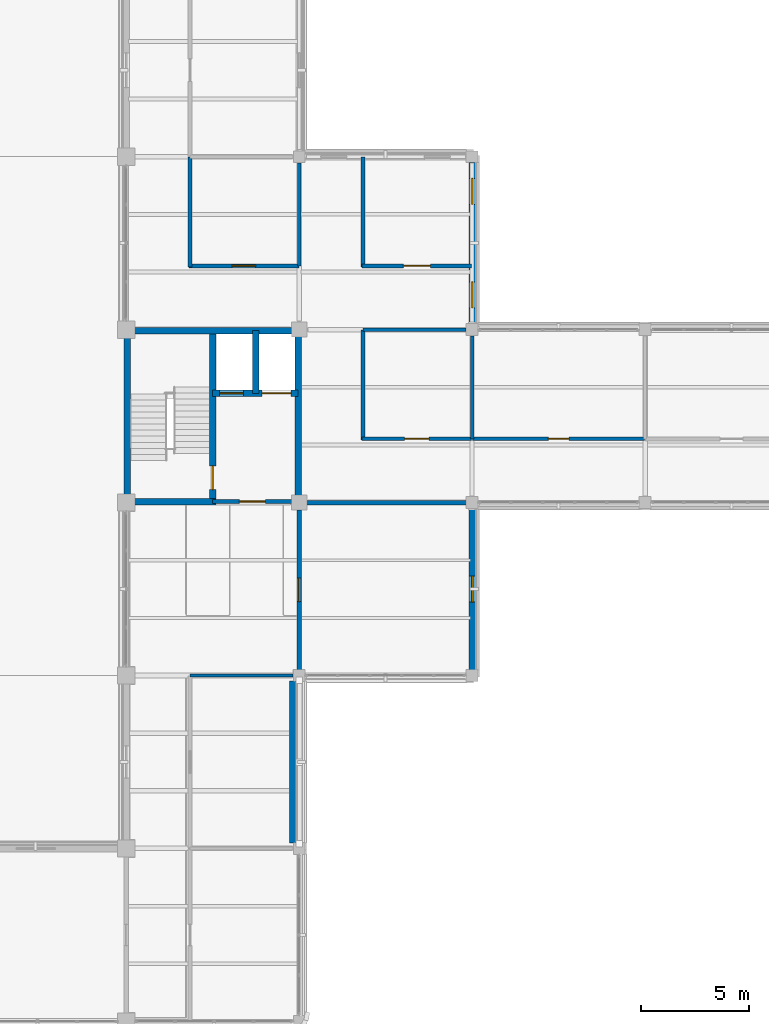
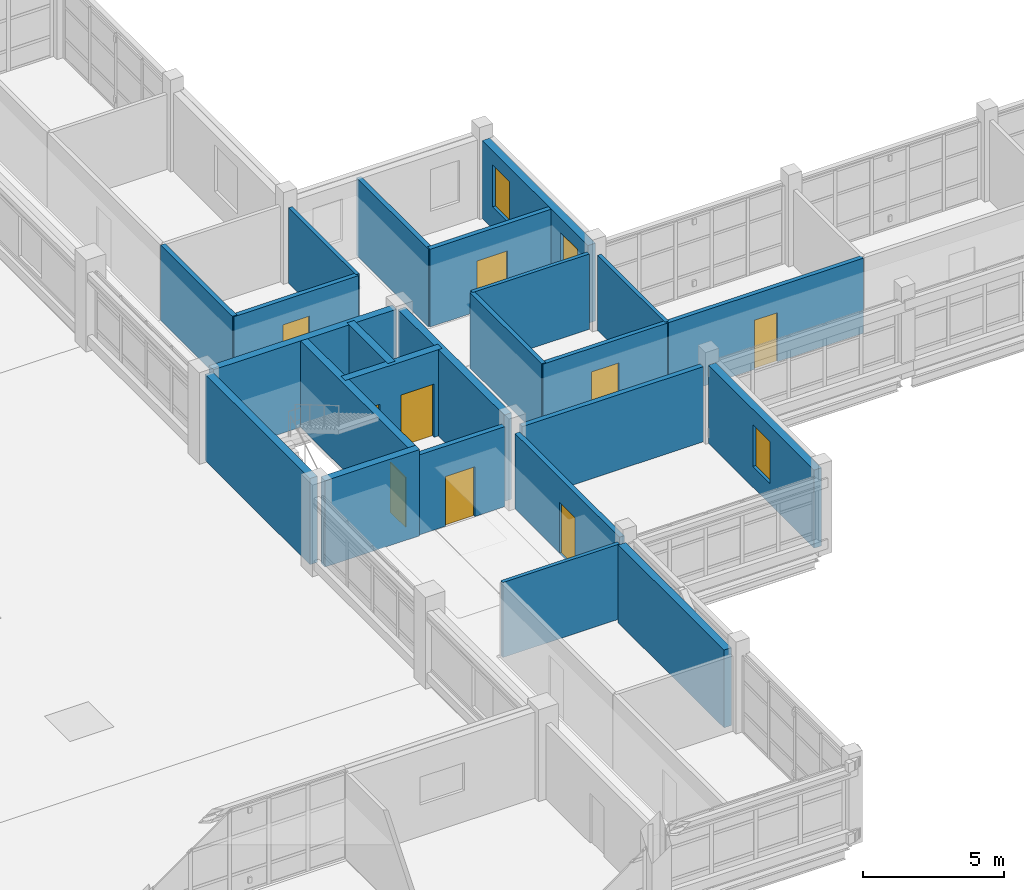
# One storey, part 77 of 107: 24 walls, 9 doors, 3 windows, 12 openings.
"""IFC4 building model written with IfcOpenShell, lengths in metres."""

import ifcopenshell
import ifcopenshell.guid

model = None  # the IFC model being written
_history = None  # IfcOwnerHistory: only IFC2X3 demands one
_inside = {}  # id of a spatial element -> (the spatial element, [elements in it])
_under = {}  # id of a project, library or spatial element -> (it, [spatial elements below it])
_declared = {}  # id of a project -> (the project, [libraries it declares])
_typed = {}  # id of a type object -> (the type object, [elements of that type])
_made_of = {}  # id of a material, layer set ... -> (it, [elements and type objects made of it])


def new_model(schema):
    """Start an empty IFC model of exactly this schema.

    Asked for "IFC4X3", IfcOpenShell would pick the latest addendum, in which some entities
    have other attributes; the version numbers below select the first issue.
    IFC2X3 requires an IfcOwnerHistory on every rooted entity: one is made here for all.
    """
    global model, _history
    if schema == "IFC4X3":
        model = ifcopenshell.file(schema_version=(4, 3, 0, 0))
    else:
        model = ifcopenshell.file(schema=schema)
    _inside.clear()
    _under.clear()
    _declared.clear()
    _typed.clear()
    _made_of.clear()
    _history = None
    if model.schema == "IFC2X3":
        org = make("IfcOrganization", Name="unknown")
        user = make(
            "IfcPersonAndOrganization",
            ThePerson=make("IfcPerson", FamilyName="unknown"),
            TheOrganization=org,
        )
        app = make(
            "IfcApplication",
            ApplicationDeveloper=org,
            Version="unknown",
            ApplicationFullName="unknown",
            ApplicationIdentifier="unknown",
        )
        _history = make(
            "IfcOwnerHistory",
            OwningUser=user,
            OwningApplication=app,
            ChangeAction="ADDED",
            CreationDate=0,
        )
    return model


def make(cls, **values):
    """One entity of the class cls with the attributes given. An attribute that is None is left unset."""
    return model.create_entity(
        cls, **{name: value for name, value in values.items() if value is not None}
    )


def rooted(cls, **values):
    """An entity with a GlobalId (a new one), such as an element, a storey or a relation."""
    return make(cls, GlobalId=ifcopenshell.guid.new(), OwnerHistory=_history, **values)


def si_unit(unit_type, name, prefix=None):
    """IfcSIUnit, for example si_unit("LENGTHUNIT", "METRE", prefix="MILLI")."""
    return make("IfcSIUnit", UnitType=unit_type, Prefix=prefix, Name=name)


def derived_unit(unit_type, elements):
    """IfcDerivedUnit: a product of units, each with its exponent."""
    return make(
        "IfcDerivedUnit",
        Elements=[
            make("IfcDerivedUnitElement", Unit=unit, Exponent=power)
            for unit, power in elements
        ],
        UnitType=unit_type,
    )


def assignment(units):
    """IfcUnitAssignment: the units of a project."""
    return None if units is None else make("IfcUnitAssignment", Units=units)


def point(xyz):
    """IfcCartesianPoint."""
    return None if xyz is None else make("IfcCartesianPoint", Coordinates=xyz)


def direction(xyz):
    """IfcDirection."""
    return None if xyz is None else make("IfcDirection", DirectionRatios=xyz)


def frame(location, z_axis=None, x_axis=None):
    """IfcAxis2Placement3D, a coordinate frame: its origin and axes. An axis left out is left unset."""
    return make(
        "IfcAxis2Placement3D",
        Location=point(location),
        Axis=direction(z_axis),
        RefDirection=direction(x_axis),
    )


def frame_2d(location, x_axis=None):
    """IfcAxis2Placement2D, a coordinate frame in the plane: its origin and x axis."""
    return make(
        "IfcAxis2Placement2D", Location=point(location), RefDirection=direction(x_axis)
    )


def origin():
    """The frame at (0, 0, 0) with its axes left unset."""
    return frame((0.0, 0.0, 0.0))


def place(relative_to, where):
    """IfcLocalPlacement: puts the frame where relative to a parent placement (None: the world)."""
    return make(
        "IfcLocalPlacement", PlacementRelTo=relative_to, RelativePlacement=where
    )


def context(
    kind, dimensions, precision=None, world=None, true_north=None, identifier=None
):
    """IfcGeometricRepresentationContext, for example the 3D "Model" context."""
    return make(
        "IfcGeometricRepresentationContext",
        ContextIdentifier=identifier,
        ContextType=kind,
        CoordinateSpaceDimension=dimensions,
        Precision=precision,
        WorldCoordinateSystem=world,
        TrueNorth=true_north,
    )


def subcontext(parent, identifier, kind, view, scale=None):
    """IfcGeometricRepresentationSubContext, for example "Body" below "Model"."""
    return make(
        "IfcGeometricRepresentationSubContext",
        ContextIdentifier=identifier,
        ContextType=kind,
        ParentContext=parent,
        TargetScale=scale,
        TargetView=view,
    )


def project(units=None, contexts=None):
    """IfcProject with its units and contexts."""
    return rooted(
        "IfcProject",
        Name="project",
        RepresentationContexts=contexts,
        UnitsInContext=assignment(units),
    )


def spatial(cls, under=None, at=None, **own):
    """A site, building, storey or space (cls), placed at a placement, below another one or the project."""
    s = rooted(cls, ObjectPlacement=at, **own)
    if under is not None:
        _under.setdefault(under.id(), (under, []))[1].append(s)
    return s


def profile(cls, at=None, kind="AREA", **sizes):
    """A parametric profile (cls). Its sizes go by their IFC names, for example OverallWidth=200.0."""
    return make(cls, ProfileType=kind, Position=at, **sizes)


def rectangle(**sizes):
    """IfcRectangleProfileDef."""
    return profile("IfcRectangleProfileDef", **sizes)


def extrude(swept, where, along, depth):
    """IfcExtrudedAreaSolid: the profile swept, set in the frame where, extruded along a direction by depth."""
    return make(
        "IfcExtrudedAreaSolid",
        SweptArea=swept,
        Position=where,
        ExtrudedDirection=direction(along),
        Depth=depth,
    )


def shape(context_of_items, identifier, shape_type, items):
    """IfcShapeRepresentation: the items that make up one representation, for example the "Body"."""
    return make(
        "IfcShapeRepresentation",
        ContextOfItems=context_of_items,
        RepresentationIdentifier=identifier,
        RepresentationType=shape_type,
        Items=items,
    )


def material(Name=None, Category=None):
    """IfcMaterial."""
    return make("IfcMaterial", Name=Name, Category=Category)


def layer(
    of_material, thickness, ventilated=None, Name=None, Category=None, Priority=None
):
    """IfcMaterialLayer: one layer of a wall or slab, of a material (None: an air gap)."""
    return make(
        "IfcMaterialLayer",
        Material=of_material,
        LayerThickness=thickness,
        IsVentilated=ventilated,
        Name=Name,
        Category=Category,
        Priority=Priority,
    )


def layer_set(layers, Name=None):
    """IfcMaterialLayerSet."""
    return make("IfcMaterialLayerSet", MaterialLayers=layers, LayerSetName=Name)


def made_of(thing, what):
    """Note that an element or type object is made of a material, layer set ...; save() writes the relation."""
    if what is not None:
        _made_of.setdefault(what.id(), (what, []))[1].append(thing)
    return thing


def type_object(cls, material=None, **own):
    """A type object (cls), such as IfcWallType, which elements share."""
    return made_of(rooted(cls, **own), material)


def element(
    cls,
    number,
    at=None,
    inside=None,
    cuts=None,
    type_object=None,
    material=None,
    context=None,
    identifier="Body",
    shape_type=None,
    held_by="IfcProductDefinitionShape",
    body=None,
    shapes=None,
    **own,
):
    """One element of the class cls, such as IfcWall. Its Tag is "e" and its number.

    at: its placement. inside: the storey or other place that contains it. cuts: it is an
    opening in that element (IfcRelVoidsElement). A single representation is given by context,
    identifier, shape_type and body (its items); several are given by shapes. held_by: the class
    of the entity that holds the representations. save() writes the other relations.
    """
    e = rooted(cls, Tag="e%d" % number, ObjectPlacement=at, **own)
    if body is not None:
        shapes = [shape(context, identifier, shape_type, body)]
    if shapes is not None:
        e.Representation = make(held_by, Representations=shapes)
    if inside is not None:
        _inside.setdefault(inside.id(), (inside, []))[1].append(e)
    if cuts is not None:
        rooted(
            "IfcRelVoidsElement", RelatingBuildingElement=cuts, RelatedOpeningElement=e
        )
    if type_object is not None:
        _typed.setdefault(type_object.id(), (type_object, []))[1].append(e)
    return made_of(e, material)


def fill(opening, filler):
    """IfcRelFillsElement: the door or window that sits in an opening."""
    return rooted(
        "IfcRelFillsElement",
        RelatingOpeningElement=opening,
        RelatedBuildingElement=filler,
    )


def aggregate(whole, parts):
    """IfcRelAggregates: a whole, such as a stair, and the parts it consists of."""
    return rooted("IfcRelAggregates", RelatingObject=whole, RelatedObjects=parts)


def save(model, path):
    """Write the relations noted so far, then the file.

    IfcRelAggregates (storeys below a building ...), IfcRelContainedInSpatialStructure (elements
    in a storey), IfcRelDefinesByType, IfcRelAssociatesMaterial and IfcRelDeclares: one each for
    every whole, place, type object, material and project.
    """
    for whole, parts in _under.values():
        aggregate(whole, parts)
    for where, things in _inside.values():
        rooted(
            "IfcRelContainedInSpatialStructure",
            RelatedElements=things,
            RelatingStructure=where,
        )
    for kind, things in _typed.values():
        rooted("IfcRelDefinesByType", RelatedObjects=things, RelatingType=kind)
    for what, things in _made_of.values():
        rooted("IfcRelAssociatesMaterial", RelatedObjects=things, RelatingMaterial=what)
    for by, libraries in _declared.values():
        rooted("IfcRelDeclares", RelatingContext=by, RelatedDefinitions=libraries)
    model.write(path)


model = new_model("IFC4")

# Units and contexts
model_context = context("Model", 3, precision=1e-05, world=origin(), true_north=direction((0.0, 1.0)))
body_context = subcontext(model_context, "Body", "Model", "MODEL_VIEW")
ifc_project = project(units=[si_unit("LENGTHUNIT", "METRE"), si_unit("AREAUNIT", "SQUARE_METRE"), si_unit("VOLUMEUNIT", "CUBIC_METRE"), si_unit("PLANEANGLEUNIT", "RADIAN"), si_unit("MASSUNIT", "GRAM", prefix="KILO"), derived_unit("THERMALTRANSMITTANCEUNIT", [(si_unit("MASSUNIT", "GRAM", prefix="KILO"), 1), (si_unit("TIMEUNIT", "SECOND"), -3), (si_unit("THERMODYNAMICTEMPERATUREUNIT", "KELVIN"), -1)])], contexts=[model_context])

# Site, building, storey
site_placement = place(None, origin())
site = spatial("IfcSite", under=ifc_project, at=site_placement, CompositionType="ELEMENT")
building_placement = place(site_placement, origin())
building = spatial("IfcBuilding", under=site, at=building_placement, Name="Veyamyaing Civic Hall", CompositionType="ELEMENT")
storey_placement = place(building_placement, frame((0.0, 0.0, 13.860107421875)))
storey = spatial("IfcBuildingStorey", under=building, at=storey_placement, Name="L03", CompositionType="ELEMENT", Elevation=13.860107421875)

# Wall
ifc_material_1 = material(Name="Precast concrete C40/50", Category="concrete")
ifc_layer_1 = layer(ifc_material_1, 0.304931640625, Name="Precast concrete C40/50")
ifc_layer_set_1 = layer_set([ifc_layer_1], Name="Precast concrete C40/50")
wall_type_1 = type_object("IfcWallType", Name="WT-03", PredefinedType="SOLIDWALL", material=ifc_layer_set_1)
wall_1_placement = place(storey_placement, frame((111.699951171875, 32.260009765625, 0.0), z_axis=(0.0, 0.0, 1.0), x_axis=(0.0, 1.0, 0.0)))
element("IfcWall", 1, at=wall_1_placement, inside=storey, type_object=wall_type_1, Name="Exterior facade wall WT-03 L03 E 14.5", PredefinedType="SOLIDWALL", context=body_context, shape_type="SweptSolid", body=[
    extrude(rectangle(XDim=7.47998046875, YDim=0.304931640625, at=frame_2d((3.739990234375, 0.0))), origin(), (0.0, 0.0, 1.0), 3.364013671875),
])

# Wall, opening, window
wall_2_placement = place(storey_placement, frame((120.0, 40.260009765625, 0.0), z_axis=(0.0, 0.0, 1.0), x_axis=(0.0, 1.0, 0.0)))
wall_2 = element("IfcWall", 2, at=wall_2_placement, inside=storey, type_object=wall_type_1, Name="Exterior facade wall WT-03 L03 E 15.6", PredefinedType="SOLIDWALL", context=body_context, shape_type="SweptSolid", body=[
    extrude(rectangle(XDim=7.47998046875, YDim=0.304931640625, at=frame_2d((3.739990234375, 0.0))), origin(), (0.0, 0.0, 1.0), 3.366943359375),
])
opening_1_placement = place(wall_2_placement, frame((3.139892578125, 0.0, 0.89990234375)))
opening_1 = element("IfcOpeningElement", 3, at=opening_1_placement, cuts=wall_2, Name="Opening W-14", PredefinedType="OPENING", context=body_context, shape_type="SweptSolid", body=[
    extrude(rectangle(XDim=1.199951171875, YDim=1.800048828125, at=frame_2d((0.60009765625, 0.89990234375))), frame((0.0, 0.162353515625, 0.0), z_axis=(0.0, -1.0, 0.0), x_axis=(1.0, 0.0, 0.0)), (0.0, 0.0, 1.0), 0.324951171875),
])
ifc_material_2 = material(Name="Low-E insulated glass", Category="glass")
window_type = type_object("IfcWindowType", Name="W-14", PartitioningType="SINGLE_PANEL", PredefinedType="WINDOW", material=ifc_material_2)
window_1_placement = place(opening_1_placement, origin())
window_1 = element("IfcWindow", 4, at=window_1_placement, inside=storey, type_object=window_type, Name="Facade window W-14 L03 E 15.6", OverallHeight=1.800048828125, OverallWidth=1.199951171875, PartitioningType="SINGLE_PANEL", PredefinedType="WINDOW", context=body_context, shape_type="SweptSolid", body=[
    extrude(rectangle(XDim=1.199951171875, YDim=1.800048828125, at=frame_2d((0.60009765625, 0.89990234375))), frame((0.0, 0.030029296875, 0.0), z_axis=(0.0, -1.0, 0.0), x_axis=(1.0, 0.0, 0.0)), (0.0, 0.0, 1.0), 0.06005859375),
])
fill(opening_1, window_1)

# Wall, openings, windows
wall_3_placement = place(storey_placement, frame((120.0, 56.260009765625, 0.0), z_axis=(0.0, 0.0, 1.0), x_axis=(0.0, 1.0, 0.0)))
wall_3 = element("IfcWall", 5, at=wall_3_placement, inside=storey, type_object=wall_type_1, Name="Exterior facade wall WT-03 L03 E 15.8", PredefinedType="SOLIDWALL", context=body_context, shape_type="SweptSolid", body=[
    extrude(rectangle(XDim=7.47998046875, YDim=0.304931640625, at=frame_2d((3.739990234375, 0.0))), origin(), (0.0, 0.0, 1.0), 3.364013671875),
])
opening_2_placement = place(wall_3_placement, frame((0.746337890625, 0.0, 0.949951171875)))
opening_2 = element("IfcOpeningElement", 6, at=opening_2_placement, cuts=wall_3, Name="Opening W-14", PredefinedType="OPENING", context=body_context, shape_type="SweptSolid", body=[
    extrude(rectangle(XDim=1.199951171875, YDim=1.800048828125, at=frame_2d((0.60009765625, 0.89990234375))), frame((0.0, 0.162353515625, 0.0), z_axis=(0.0, -1.0, 0.0), x_axis=(1.0, 0.0, 0.0)), (0.0, 0.0, 1.0), 0.324951171875),
])
opening_3_placement = place(wall_3_placement, frame((5.53369140625, 0.0, 0.949951171875)))
opening_3 = element("IfcOpeningElement", 7, at=opening_3_placement, cuts=wall_3, Name="Opening W-14", PredefinedType="OPENING", context=body_context, shape_type="SweptSolid", body=[
    extrude(rectangle(XDim=1.199951171875, YDim=1.800048828125, at=frame_2d((0.60009765625, 0.89990234375))), frame((0.0, 0.162353515625, 0.0), z_axis=(0.0, -1.0, 0.0), x_axis=(1.0, 0.0, 0.0)), (0.0, 0.0, 1.0), 0.324951171875),
])
window_2_placement = place(opening_2_placement, origin())
window_2 = element("IfcWindow", 8, at=window_2_placement, inside=storey, type_object=window_type, Name="Facade window W-14 L03 E 15.8.1", OverallHeight=1.800048828125, OverallWidth=1.199951171875, PartitioningType="SINGLE_PANEL", PredefinedType="WINDOW", context=body_context, shape_type="SweptSolid", body=[
    extrude(rectangle(XDim=1.199951171875, YDim=1.800048828125, at=frame_2d((0.60009765625, 0.89990234375))), frame((0.0, 0.030029296875, 0.0), z_axis=(0.0, -1.0, 0.0), x_axis=(1.0, 0.0, 0.0)), (0.0, 0.0, 1.0), 0.06005859375),
])
fill(opening_2, window_2)
window_3_placement = place(opening_3_placement, origin())
window_3 = element("IfcWindow", 9, at=window_3_placement, inside=storey, type_object=window_type, Name="Facade window W-14 L03 E 15.8.2", OverallHeight=1.800048828125, OverallWidth=1.199951171875, PartitioningType="SINGLE_PANEL", PredefinedType="WINDOW", context=body_context, shape_type="SweptSolid", body=[
    extrude(rectangle(XDim=1.199951171875, YDim=1.800048828125, at=frame_2d((0.60009765625, 0.89990234375))), frame((0.0, 0.030029296875, 0.0), z_axis=(0.0, -1.0, 0.0), x_axis=(1.0, 0.0, 0.0)), (0.0, 0.0, 1.0), 0.06005859375),
])
fill(opening_3, window_3)

# Walls
ifc_material_3 = material(Name="Concrete C40/50", Category="concrete")
ifc_layer_2 = layer(ifc_material_3, 0.300048828125, Name="Concrete C40/50")
ifc_layer_set_2 = layer_set([ifc_layer_2], Name="Concrete C40/50")
wall_type_2 = type_object("IfcWallType", Name="WT-05", PredefinedType="SHEAR", material=ifc_layer_set_2)
wall_4_placement = place(storey_placement, frame((104.050048828125, 48.2900390625, 0.0), z_axis=(0.0, 0.0, 1.0), x_axis=(0.0, 1.0, 0.0)))
element("IfcWall", 10, at=wall_4_placement, inside=storey, type_object=wall_type_2, Name="Core shear wall WT-05 CORE-6 L03.W", PredefinedType="SHEAR", context=body_context, shape_type="SweptSolid", body=[
    extrude(rectangle(XDim=7.419921875, YDim=0.300048828125, at=frame_2d((3.7099609375, 0.0))), origin(), (0.0, 0.0, 1.0), 3.724853515625),
])
wall_5_placement = place(storey_placement, frame((104.2900390625, 55.949951171875, 0.0), z_axis=(0.0, 0.0, 1.0), x_axis=(1.0, 0.0, 0.0)))
element("IfcWall", 11, at=wall_5_placement, inside=storey, type_object=wall_type_2, Name="Core shear wall WT-05 CORE-6 L03.N", PredefinedType="SHEAR", context=body_context, shape_type="SweptSolid", body=[
    extrude(rectangle(XDim=7.469970703125, YDim=0.300048828125, at=frame_2d((3.73486328125, 0.0))), origin(), (0.0, 0.0, 1.0), 3.724853515625),
])
wall_6_placement = place(storey_placement, frame((111.949951171875, 48.239990234375, 0.0), z_axis=(0.0, 0.0, 1.0), x_axis=(0.0, 1.0, 0.0)))
element("IfcWall", 12, at=wall_6_placement, inside=storey, type_object=wall_type_2, Name="Core shear wall WT-05 CORE-6 L03.E", PredefinedType="SHEAR", context=body_context, shape_type="SweptSolid", body=[
    extrude(rectangle(XDim=7.52001953125, YDim=0.300048828125, at=frame_2d((3.760009765625, 0.0))), origin(), (0.0, 0.0, 1.0), 3.724853515625),
])
wall_7_placement = place(storey_placement, frame((104.2900390625, 48.050048828125, 0.0), z_axis=(0.0, 0.0, 1.0), x_axis=(1.0, 0.0, 0.0)))
element("IfcWall", 13, at=wall_7_placement, inside=storey, type_object=wall_type_2, Name="Core shear wall WT-05 CORE-6 L03.SS", PredefinedType="SHEAR", context=body_context, shape_type="SweptSolid", body=[
    extrude(rectangle(XDim=3.85986328125, YDim=0.300048828125, at=frame_2d((1.929931640625, 0.0))), origin(), (0.0, 0.0, 1.0), 3.724853515625),
])

# Wall, opening, door
wall_8_placement = place(storey_placement, frame((108.0, 48.050048828125, 0.0), z_axis=(0.0, 0.0, 1.0), x_axis=(0.0, 1.0, 0.0)))
wall_8 = element("IfcWall", 14, at=wall_8_placement, inside=storey, type_object=wall_type_2, Name="Core shear wall WT-05 CORE-6 L03.MID", PredefinedType="SHEAR", context=body_context, shape_type="SweptSolid", body=[
    extrude(rectangle(XDim=7.89990234375, YDim=0.300048828125, at=frame_2d((3.949951171875, 0.0))), origin(), (0.0, 0.0, 1.0), 3.724853515625),
])
opening_4_placement = place(wall_8_placement, frame((0.550048828125, 0.0, 0.0)))
opening_4 = element("IfcOpeningElement", 15, at=opening_4_placement, cuts=wall_8, Name="Opening D-03", PredefinedType="OPENING", context=body_context, shape_type="SweptSolid", body=[
    extrude(rectangle(XDim=1.10009765625, YDim=2.14990234375, at=frame_2d((0.550048828125, 1.074951171875))), frame((0.0, 0.159912109375, 0.0), z_axis=(0.0, -1.0, 0.0), x_axis=(1.0, 0.0, 0.0)), (0.0, 0.0, 1.0), 0.320068359375),
])
ifc_material_4 = material(Name="Galvanized steel S355J2", Category="steel")
door_type_1 = type_object("IfcDoorType", Name="D-03", OperationType="NOTDEFINED", PredefinedType="DOOR", material=ifc_material_4)
door_1_placement = place(opening_4_placement, origin())
door_1 = element("IfcDoor", 16, at=door_1_placement, inside=storey, type_object=door_type_1, Name="Exit stair fire door D-03 ST-06 L03", OperationType="SINGLE_SWING_LEFT", OverallHeight=2.14990234375, OverallWidth=1.10009765625, PredefinedType="DOOR", context=body_context, shape_type="SweptSolid", body=[
    extrude(rectangle(XDim=1.10009765625, YDim=2.14990234375, at=frame_2d((0.550048828125, 1.074951171875))), frame((0.0, 0.02490234375, 0.0), z_axis=(0.0, -1.0, 0.0), x_axis=(1.0, 0.0, 0.0)), (0.0, 0.0, 1.0), 0.050048828125),
])
fill(opening_4, door_1)

# Wall, openings, doors
wall_9_placement = place(storey_placement, frame((108.0, 53.050048828125, 0.0), z_axis=(0.0, 0.0, 1.0), x_axis=(1.0, 0.0, 0.0)))
wall_9 = element("IfcWall", 17, at=wall_9_placement, inside=storey, type_object=wall_type_2, Name="Core shear wall WT-05 CORE-6 L03.LFT", PredefinedType="SHEAR", context=body_context, shape_type="SweptSolid", body=[
    extrude(rectangle(XDim=3.949951171875, YDim=0.300048828125, at=frame_2d((1.97509765625, 0.0))), origin(), (0.0, 0.0, 1.0), 3.724853515625),
])
opening_5_placement = place(wall_9_placement, frame((0.320068359375, 0.0, 0.0)))
opening_5 = element("IfcOpeningElement", 18, at=opening_5_placement, cuts=wall_9, Name="Opening LD-01", PredefinedType="OPENING", context=body_context, shape_type="SweptSolid", body=[
    extrude(rectangle(XDim=1.10009765625, YDim=2.199951171875, at=frame_2d((0.550048828125, 1.10009765625))), frame((0.0, 0.159912109375, 0.0), z_axis=(0.0, -1.0, 0.0), x_axis=(1.0, 0.0, 0.0)), (0.0, 0.0, 1.0), 0.320068359375),
])
opening_6_placement = place(wall_9_placement, frame((2.280029296875, 0.0, 0.0)))
opening_6 = element("IfcOpeningElement", 19, at=opening_6_placement, cuts=wall_9, Name="Opening LD-03", PredefinedType="OPENING", context=body_context, shape_type="SweptSolid", body=[
    extrude(rectangle(XDim=1.35009765625, YDim=2.300048828125, at=frame_2d((0.675048828125, 1.14990234375))), frame((0.0, 0.159912109375, 0.0), z_axis=(0.0, -1.0, 0.0), x_axis=(1.0, 0.0, 0.0)), (0.0, 0.0, 1.0), 0.320068359375),
])
ifc_material_5 = material(Name="Anodised aluminium 6063-T6", Category="aluminium")
door_type_2 = type_object("IfcDoorType", Name="LD-01", OperationType="SLIDING_TO_LEFT", PredefinedType="DOOR", material=ifc_material_5)
door_2_placement = place(opening_5_placement, origin())
door_2 = element("IfcDoor", 20, at=door_2_placement, inside=storey, type_object=door_type_2, Name="Lift sliding landing door LD-01 PL-04 L03", OperationType="SLIDING_TO_LEFT", OverallHeight=2.199951171875, OverallWidth=1.10009765625, PredefinedType="DOOR", context=body_context, shape_type="SweptSolid", body=[
    extrude(rectangle(XDim=1.10009765625, YDim=2.199951171875, at=frame_2d((0.550048828125, 1.10009765625))), frame((0.0, 0.02490234375, 0.0), z_axis=(0.0, -1.0, 0.0), x_axis=(1.0, 0.0, 0.0)), (0.0, 0.0, 1.0), 0.050048828125),
])
fill(opening_5, door_2)
door_type_3 = type_object("IfcDoorType", Name="LD-03", OperationType="DOUBLE_DOOR_SLIDING", PredefinedType="DOOR", material=ifc_material_4)
door_3_placement = place(opening_6_placement, origin())
door_3 = element("IfcDoor", 21, at=door_3_placement, inside=storey, type_object=door_type_3, Name="Lift sliding landing door LD-03 GL-02 L03", OperationType="DOUBLE_DOOR_SLIDING", OverallHeight=2.300048828125, OverallWidth=1.35009765625, PredefinedType="DOOR", context=body_context, shape_type="SweptSolid", body=[
    extrude(rectangle(XDim=1.35009765625, YDim=2.300048828125, at=frame_2d((0.675048828125, 1.14990234375))), frame((0.0, 0.02490234375, 0.0), z_axis=(0.0, -1.0, 0.0), x_axis=(1.0, 0.0, 0.0)), (0.0, 0.0, 1.0), 0.050048828125),
])
fill(opening_6, door_3)

# Wall
wall_10_placement = place(storey_placement, frame((109.97998046875, 53.050048828125, 0.0), z_axis=(0.0, 0.0, 1.0), x_axis=(0.0, 1.0, 0.0)))
element("IfcWall", 22, at=wall_10_placement, inside=storey, type_object=wall_type_2, Name="Core shear wall WT-05 CORE-6 L03.LDIV", PredefinedType="SHEAR", context=body_context, shape_type="SweptSolid", body=[
    extrude(rectangle(XDim=2.89990234375, YDim=0.300048828125, at=frame_2d((1.449951171875, 0.0))), origin(), (0.0, 0.0, 1.0), 3.724853515625),
])

# Wall, opening, door
ifc_layer_3 = layer(ifc_material_3, 0.199951171875, Name="Concrete C40/50")
ifc_layer_set_3 = layer_set([ifc_layer_3], Name="Concrete C40/50")
wall_type_3 = type_object("IfcWallType", Name="WT-06", PredefinedType="PARTITIONING", material=ifc_layer_set_3)
wall_11_placement = place(storey_placement, frame((108.0, 48.050048828125, 0.0), z_axis=(0.0, 0.0, 1.0), x_axis=(1.0, 0.0, 0.0)))
wall_11 = element("IfcWall", 23, at=wall_11_placement, inside=storey, type_object=wall_type_3, Name="Firefighting lift lobby wall WT-06 CORE-6 L03", PredefinedType="PARTITIONING", context=body_context, shape_type="SweptSolid", body=[
    extrude(rectangle(XDim=3.659912109375, YDim=0.199951171875, at=frame_2d((1.830078125, 0.0))), origin(), (0.0, 0.0, 1.0), 3.451904296875),
])
opening_7_placement = place(wall_11_placement, frame((1.22998046875, 0.0, 0.0)))
opening_7 = element("IfcOpeningElement", 24, at=opening_7_placement, cuts=wall_11, Name="Opening D-04", PredefinedType="OPENING", context=body_context, shape_type="SweptSolid", body=[
    extrude(rectangle(XDim=1.199951171875, YDim=2.14990234375, at=frame_2d((0.60009765625, 1.074951171875))), frame((0.0, 0.10986328125, 0.0), z_axis=(0.0, -1.0, 0.0), x_axis=(1.0, 0.0, 0.0)), (0.0, 0.0, 1.0), 0.219970703125),
])
door_type_4 = type_object("IfcDoorType", Name="D-04", OperationType="NOTDEFINED", PredefinedType="DOOR", material=ifc_material_4)
door_4_placement = place(opening_7_placement, frame((1.199951171875, 0.0, 0.0), z_axis=(0.0, 0.0, 1.0), x_axis=(-1.0, 0.0, 0.0)))
door_4 = element("IfcDoor", 25, at=door_4_placement, inside=storey, type_object=door_type_4, Name="Protected lobby fire door D-04 CORE-6 L03", OperationType="SINGLE_SWING_RIGHT", OverallHeight=2.14990234375, OverallWidth=1.199951171875, PredefinedType="DOOR", context=body_context, shape_type="SweptSolid", body=[
    extrude(rectangle(XDim=1.199951171875, YDim=2.14990234375, at=frame_2d((0.60009765625, 1.074951171875))), frame((0.0, 0.02490234375, 0.0), z_axis=(0.0, -1.0, 0.0), x_axis=(1.0, 0.0, 0.0)), (0.0, 0.0, 1.0), 0.050048828125),
])
fill(opening_7, door_4)

wall_12_placement = place(storey_placement, frame((112.0, 40.264892578125, 0.0), z_axis=(0.0, 0.0, 1.0), x_axis=(0.0, 1.0, 0.0)))
wall_12 = element("IfcWall", 26, at=wall_12_placement, inside=storey, type_object=wall_type_3, Name="Interior partition wall WT-06 L03.20", PredefinedType="PARTITIONING", context=body_context, shape_type="SweptSolid", body=[
    extrude(rectangle(XDim=7.39501953125, YDim=0.199951171875, at=frame_2d((3.697509765625, 0.0))), origin(), (0.0, 0.0, 1.0), 3.2529296875),
])
opening_8_placement = place(wall_12_placement, frame((3.157470703125, 0.0, 0.0)))
opening_8 = element("IfcOpeningElement", 27, at=opening_8_placement, cuts=wall_12, Name="Opening D-23", PredefinedType="OPENING", context=body_context, shape_type="SweptSolid", body=[
    extrude(rectangle(XDim=1.080078125, YDim=2.199951171875, at=frame_2d((0.5400390625, 1.10009765625))), frame((0.0, 0.10986328125, 0.0), z_axis=(0.0, -1.0, 0.0), x_axis=(1.0, 0.0, 0.0)), (0.0, 0.0, 1.0), 0.219970703125),
])
ifc_material_6 = material(Name="Teak-veneered acoustic timber", Category="wood")
door_type_5 = type_object("IfcDoorType", Name="D-23", OperationType="NOTDEFINED", PredefinedType="DOOR", material=ifc_material_6)
door_5_placement = place(opening_8_placement, frame((1.080078125, 0.0, 0.0), z_axis=(0.0, 0.0, 1.0), x_axis=(-1.0, 0.0, 0.0)))
door_5 = element("IfcDoor", 28, at=door_5_placement, inside=storey, type_object=door_type_5, Name="Interior door D-23 L03.20", OperationType="SINGLE_SWING_LEFT", OverallHeight=2.199951171875, OverallWidth=1.080078125, PredefinedType="DOOR", context=body_context, shape_type="SweptSolid", body=[
    extrude(rectangle(XDim=1.080078125, YDim=2.199951171875, at=frame_2d((0.5400390625, 1.10009765625))), frame((0.0, 0.02490234375, 0.0), z_axis=(0.0, -1.0, 0.0), x_axis=(1.0, 0.0, 0.0)), (0.0, 0.0, 1.0), 0.050048828125),
])
fill(opening_8, door_5)

# Wall
wall_13_placement = place(storey_placement, frame((112.340087890625, 48.0, 0.0), z_axis=(0.0, 0.0, 1.0), x_axis=(1.0, 0.0, 0.0)))
element("IfcWall", 29, at=wall_13_placement, inside=storey, type_object=wall_type_3, Name="Interior partition wall WT-06 L03.21", PredefinedType="PARTITIONING", context=body_context, shape_type="SweptSolid", body=[
    extrude(rectangle(XDim=7.39501953125, YDim=0.199951171875, at=frame_2d((3.697509765625, 0.0))), origin(), (0.0, 0.0, 1.0), 3.246826171875),
])

# Wall, opening, door
ifc_material_7 = material(Name="Gypsum board on acoustic steel stud", Category="steel")
ifc_layer_4 = layer(ifc_material_7, 0.175048828125, Name="Gypsum board on acoustic steel stud")
ifc_layer_set_4 = layer_set([ifc_layer_4], Name="Gypsum board on acoustic steel stud")
wall_type_4 = type_object("IfcWallType", Name="WT-07", PredefinedType="PARTITIONING", material=ifc_layer_set_4)
wall_14_placement = place(storey_placement, frame((114.89990234375, 50.949951171875, 0.0), z_axis=(0.0, 0.0, 1.0), x_axis=(1.0, 0.0, 0.0)))
wall_14 = element("IfcWall", 30, at=wall_14_placement, inside=storey, type_object=wall_type_4, Name="Corridor gallery partition WT-07 L03.33.1", PredefinedType="PARTITIONING", context=body_context, shape_type="SweptSolid", body=[
    extrude(rectangle(XDim=5.080078125, YDim=0.175048828125, at=frame_2d((2.5400390625, 0.0))), origin(), (0.0, 0.0, 1.0), 3.246826171875),
])
opening_9_placement = place(wall_14_placement, frame((1.97998046875, 0.0, 0.0)))
opening_9 = element("IfcOpeningElement", 31, at=opening_9_placement, cuts=wall_14, Name="Opening D-26", PredefinedType="OPENING", context=body_context, shape_type="SweptSolid", body=[
    extrude(rectangle(XDim=1.1201171875, YDim=2.219970703125, at=frame_2d((0.56005859375, 1.10986328125))), frame((0.0, 0.097412109375, 0.0), z_axis=(0.0, -1.0, 0.0), x_axis=(1.0, 0.0, 0.0)), (0.0, 0.0, 1.0), 0.195068359375),
])
door_type_6 = type_object("IfcDoorType", Name="D-26", OperationType="NOTDEFINED", PredefinedType="DOOR", material=ifc_material_6)
door_6_placement = place(opening_9_placement, origin())
door_6 = element("IfcDoor", 32, at=door_6_placement, inside=storey, type_object=door_type_6, Name="Gallery office door D-26 L03.33", OperationType="SINGLE_SWING_LEFT", OverallHeight=2.219970703125, OverallWidth=1.1201171875, PredefinedType="DOOR", context=body_context, shape_type="SweptSolid", body=[
    extrude(rectangle(XDim=1.1201171875, YDim=2.219970703125, at=frame_2d((0.56005859375, 1.10986328125))), frame((0.0, 0.02490234375, 0.0), z_axis=(0.0, -1.0, 0.0), x_axis=(1.0, 0.0, 0.0)), (0.0, 0.0, 1.0), 0.050048828125),
])
fill(opening_9, door_6)

# Wall
wall_15_placement = place(storey_placement, frame((114.949951171875, 50.89990234375, 0.0), z_axis=(0.0, 0.0, 1.0), x_axis=(0.0, 1.0, 0.0)))
element("IfcWall", 33, at=wall_15_placement, inside=storey, type_object=wall_type_4, Name="Corridor gallery partition WT-07 L03.33.2", PredefinedType="PARTITIONING", context=body_context, shape_type="SweptSolid", body=[
    extrude(rectangle(XDim=5.080078125, YDim=0.175048828125, at=frame_2d((2.5400390625, 0.0))), origin(), (0.0, 0.0, 1.0), 3.2529296875),
])

# Wall, opening, door
wall_16_placement = place(storey_placement, frame((120.02001953125, 50.949951171875, 0.0), z_axis=(0.0, 0.0, 1.0), x_axis=(1.0, 0.0, 0.0)))
wall_16 = element("IfcWall", 34, at=wall_16_placement, inside=storey, type_object=wall_type_4, Name="Corridor gallery partition WT-07 L03.35.1", PredefinedType="PARTITIONING", context=body_context, shape_type="SweptSolid", body=[
    extrude(rectangle(XDim=7.9599609375, YDim=0.175048828125, at=frame_2d((3.97998046875, 0.0))), origin(), (0.0, 0.0, 1.0), 3.246826171875),
])
opening_10_placement = place(wall_16_placement, frame((3.510009765625, 0.0, 0.0)))
opening_10 = element("IfcOpeningElement", 35, at=opening_10_placement, cuts=wall_16, Name="Opening D-30", PredefinedType="OPENING", context=body_context, shape_type="SweptSolid", body=[
    extrude(rectangle(XDim=0.93994140625, YDim=2.1201171875, at=frame_2d((0.469970703125, 1.06005859375))), frame((0.0, 0.097412109375, 0.0), z_axis=(0.0, -1.0, 0.0), x_axis=(1.0, 0.0, 0.0)), (0.0, 0.0, 1.0), 0.195068359375),
])
door_type_7 = type_object("IfcDoorType", Name="D-30", OperationType="NOTDEFINED", PredefinedType="DOOR", material=ifc_material_6)
door_7_placement = place(opening_10_placement, origin())
door_7 = element("IfcDoor", 36, at=door_7_placement, inside=storey, type_object=door_type_7, Name="Gallery office door D-30 L03.35", OperationType="SINGLE_SWING_LEFT", OverallHeight=2.1201171875, OverallWidth=0.93994140625, PredefinedType="DOOR", context=body_context, shape_type="SweptSolid", body=[
    extrude(rectangle(XDim=0.93994140625, YDim=2.1201171875, at=frame_2d((0.469970703125, 1.06005859375))), frame((0.0, 0.02490234375, 0.0), z_axis=(0.0, -1.0, 0.0), x_axis=(1.0, 0.0, 0.0)), (0.0, 0.0, 1.0), 0.050048828125),
])
fill(opening_10, door_7)

# Walls
ifc_material_8 = material(Name="Gypsum board on steel stud", Category="steel")
ifc_layer_5 = layer(ifc_material_8, 0.14990234375, Name="Gypsum board on steel stud")
ifc_layer_set_5 = layer_set([ifc_layer_5], Name="Gypsum board on steel stud")
wall_type_5 = type_object("IfcWallType", Name="WT-08", PredefinedType="PARTITIONING", material=ifc_layer_set_5)
wall_17_placement = place(storey_placement, frame((106.949951171875, 40.0, 0.0), z_axis=(0.0, 0.0, 1.0), x_axis=(1.0, 0.0, 0.0)))
element("IfcWall", 37, at=wall_17_placement, inside=storey, type_object=wall_type_5, Name="Gallery office end partition WT-08 L03.29.2", PredefinedType="PARTITIONING", context=body_context, shape_type="SweptSolid", body=[
    extrude(rectangle(XDim=4.76513671875, YDim=0.14990234375, at=frame_2d((2.382568359375, 0.0))), origin(), (0.0, 0.0, 1.0), 3.240966796875),
])
wall_18_placement = place(storey_placement, frame((112.0, 58.949951171875, 0.0), z_axis=(0.0, 0.0, 1.0), x_axis=(0.0, 1.0, 0.0)))
element("IfcWall", 38, at=wall_18_placement, inside=storey, type_object=wall_type_5, Name="Gallery office end partition WT-08 L03.30.2", PredefinedType="PARTITIONING", context=body_context, shape_type="SweptSolid", body=[
    extrude(rectangle(XDim=4.76513671875, YDim=0.14990234375, at=frame_2d((2.382568359375, 0.0))), origin(), (0.0, 0.0, 1.0), 3.246826171875),
])
wall_19_placement = place(storey_placement, frame((114.949951171875, 56.0, 0.0), z_axis=(0.0, 0.0, 1.0), x_axis=(1.0, 0.0, 0.0)))
element("IfcWall", 39, at=wall_19_placement, inside=storey, type_object=wall_type_5, Name="Gallery office end partition WT-08 L03.33.1", PredefinedType="PARTITIONING", context=body_context, shape_type="SweptSolid", body=[
    extrude(rectangle(XDim=4.76513671875, YDim=0.14990234375, at=frame_2d((2.382568359375, 0.0))), origin(), (0.0, 0.0, 1.0), 3.2529296875),
])
wall_20_placement = place(storey_placement, frame((120.0, 50.949951171875, 0.0), z_axis=(0.0, 0.0, 1.0), x_axis=(0.0, 1.0, 0.0)))
element("IfcWall", 40, at=wall_20_placement, inside=storey, type_object=wall_type_5, Name="Gallery office end partition WT-08 L03.33.2", PredefinedType="PARTITIONING", context=body_context, shape_type="SweptSolid", body=[
    extrude(rectangle(XDim=4.76513671875, YDim=0.14990234375, at=frame_2d((2.382568359375, 0.0))), origin(), (0.0, 0.0, 1.0), 3.246826171875),
])

# Wall, opening, door
ifc_material_9 = material(Name="Gypsum board on double acoustic stud")
ifc_layer_6 = layer(ifc_material_9, 0.18505859375, Name="Gypsum board on double acoustic stud")
ifc_layer_set_6 = layer_set([ifc_layer_6], Name="Gypsum board on double acoustic stud")
wall_type_6 = type_object("IfcWallType", Name="WT-19", PredefinedType="PARTITIONING", material=ifc_layer_set_6)
wall_21_placement = place(storey_placement, frame((106.89990234375, 58.949951171875, 0.0), z_axis=(0.0, 0.0, 1.0), x_axis=(1.0, 0.0, 0.0)))
wall_21 = element("IfcWall", 41, at=wall_21_placement, inside=storey, type_object=wall_type_6, Name="Corridor gallery partition WT-19 L03.30.1", PredefinedType="PARTITIONING", context=body_context, shape_type="SweptSolid", body=[
    extrude(rectangle(XDim=5.080078125, YDim=0.18505859375, at=frame_2d((2.5400390625, 0.0))), origin(), (0.0, 0.0, 1.0), 3.246826171875),
])
opening_11_placement = place(wall_21_placement, frame((2.0, 0.0, 0.0)))
opening_11 = element("IfcOpeningElement", 42, at=opening_11_placement, cuts=wall_21, Name="Opening D-23", PredefinedType="OPENING", context=body_context, shape_type="SweptSolid", body=[
    extrude(rectangle(XDim=1.080078125, YDim=2.199951171875, at=frame_2d((0.5400390625, 1.10009765625))), frame((0.0, 0.1025390625, 0.0), z_axis=(0.0, -1.0, 0.0), x_axis=(1.0, 0.0, 0.0)), (0.0, 0.0, 1.0), 0.205078125),
])
door_8_placement = place(opening_11_placement, origin())
door_8 = element("IfcDoor", 43, at=door_8_placement, inside=storey, type_object=door_type_5, Name="Gallery office door D-23 L03.30", OperationType="SINGLE_SWING_RIGHT", OverallHeight=2.199951171875, OverallWidth=1.080078125, PredefinedType="DOOR", context=body_context, shape_type="SweptSolid", body=[
    extrude(rectangle(XDim=1.080078125, YDim=2.199951171875, at=frame_2d((0.5400390625, 1.10009765625))), frame((0.0, 0.02490234375, 0.0), z_axis=(0.0, -1.0, 0.0), x_axis=(1.0, 0.0, 0.0)), (0.0, 0.0, 1.0), 0.050048828125),
])
fill(opening_11, door_8)

# Wall
wall_22_placement = place(storey_placement, frame((106.949951171875, 58.89990234375, 0.0), z_axis=(0.0, 0.0, 1.0), x_axis=(0.0, 1.0, 0.0)))
element("IfcWall", 44, at=wall_22_placement, inside=storey, type_object=wall_type_6, Name="Corridor gallery partition WT-19 L03.30.2", PredefinedType="PARTITIONING", context=body_context, shape_type="SweptSolid", body=[
    extrude(rectangle(XDim=5.080078125, YDim=0.18505859375, at=frame_2d((2.5400390625, 0.0))), origin(), (0.0, 0.0, 1.0), 3.2529296875),
])

# Wall, opening, door
wall_23_placement = place(storey_placement, frame((114.89990234375, 58.949951171875, 0.0), z_axis=(0.0, 0.0, 1.0), x_axis=(1.0, 0.0, 0.0)))
wall_23 = element("IfcWall", 45, at=wall_23_placement, inside=storey, type_object=wall_type_6, Name="Corridor gallery partition WT-19 L03.34.1", PredefinedType="PARTITIONING", context=body_context, shape_type="SweptSolid", body=[
    extrude(rectangle(XDim=5.080078125, YDim=0.18505859375, at=frame_2d((2.5400390625, 0.0))), origin(), (0.0, 0.0, 1.0), 3.35693359375),
])
opening_12_placement = place(wall_23_placement, frame((1.9150390625, 0.0, 0.0)))
opening_12 = element("IfcOpeningElement", 46, at=opening_12_placement, cuts=wall_23, Name="Opening D-29", PredefinedType="OPENING", context=body_context, shape_type="SweptSolid", body=[
    extrude(rectangle(XDim=1.25, YDim=2.179931640625, at=frame_2d((0.625, 1.08984375))), frame((0.0, 0.1025390625, 0.0), z_axis=(0.0, -1.0, 0.0), x_axis=(1.0, 0.0, 0.0)), (0.0, 0.0, 1.0), 0.205078125),
])
door_type_8 = type_object("IfcDoorType", Name="D-29", OperationType="NOTDEFINED", PredefinedType="DOOR", material=ifc_material_6)
door_9_placement = place(opening_12_placement, origin())
door_9 = element("IfcDoor", 47, at=door_9_placement, inside=storey, type_object=door_type_8, Name="Gallery office door D-29 L03.34", OperationType="SINGLE_SWING_RIGHT", OverallHeight=2.179931640625, OverallWidth=1.25, PredefinedType="DOOR", context=body_context, shape_type="SweptSolid", body=[
    extrude(rectangle(XDim=1.25, YDim=2.179931640625, at=frame_2d((0.625, 1.08984375))), frame((0.0, 0.02490234375, 0.0), z_axis=(0.0, -1.0, 0.0), x_axis=(1.0, 0.0, 0.0)), (0.0, 0.0, 1.0), 0.050048828125),
])
fill(opening_12, door_9)

# Wall
wall_24_placement = place(storey_placement, frame((114.949951171875, 58.89990234375, 0.0), z_axis=(0.0, 0.0, 1.0), x_axis=(0.0, 1.0, 0.0)))
element("IfcWall", 48, at=wall_24_placement, inside=storey, type_object=wall_type_6, Name="Corridor gallery partition WT-19 L03.34.2", PredefinedType="PARTITIONING", context=body_context, shape_type="SweptSolid", body=[
    extrude(rectangle(XDim=5.080078125, YDim=0.18505859375, at=frame_2d((2.5400390625, 0.0))), origin(), (0.0, 0.0, 1.0), 3.35693359375),
])

save(model, "model.ifc")
